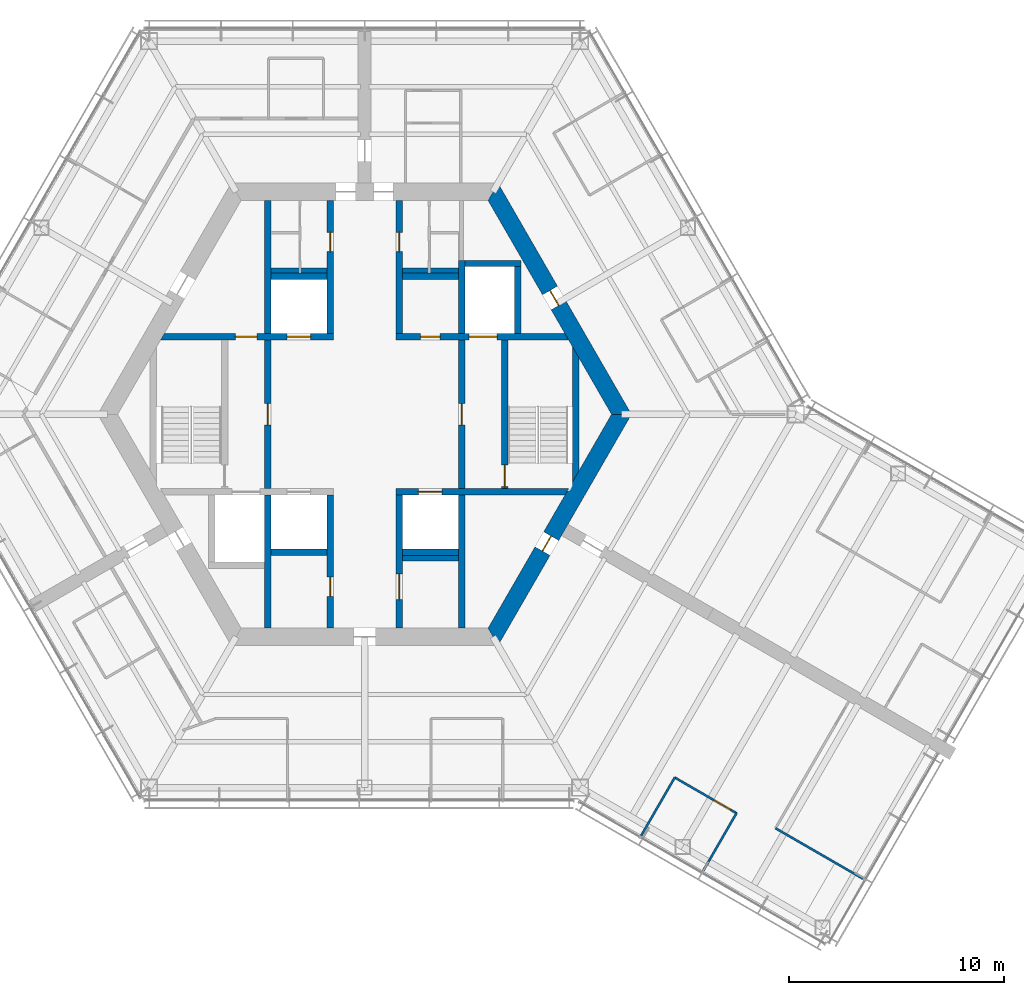
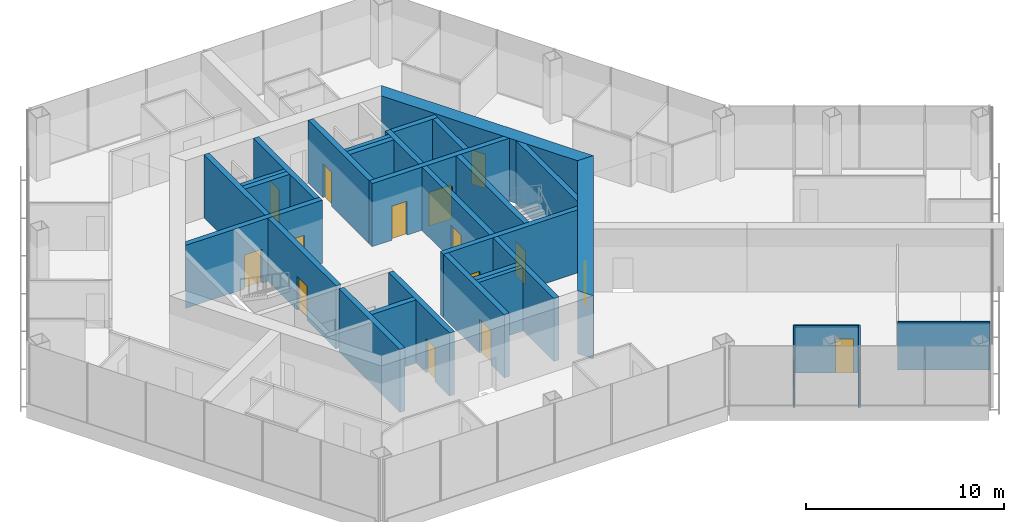
# One storey, part 11 of 16: 30 walls, 15 doors, 15 openings.
"""IFC4 building model written with IfcOpenShell, lengths in metres."""

from ifc_helpers import new_model, si_unit, direction, frame, frame_2d, origin, place, context, subcontext, project, spatial, polyline, rectangle, outline, extrude, material, layer, layer_set, type_object, element, fill, save


model = new_model("IFC4")

# Units and contexts
model_context = context("Model", 3, precision=1e-05, world=origin(), true_north=direction((0.0, 1.0)))
body_context = subcontext(model_context, "Body", "Model", "MODEL_VIEW")
ifc_project = project(units=[si_unit("LENGTHUNIT", "METRE"), si_unit("AREAUNIT", "SQUARE_METRE"), si_unit("VOLUMEUNIT", "CUBIC_METRE"), si_unit("PLANEANGLEUNIT", "RADIAN"), si_unit("MASSUNIT", "GRAM", prefix="KILO")], contexts=[model_context])

# Site, building, storey
site_placement = place(None, origin())
site = spatial("IfcSite", under=ifc_project, at=site_placement, CompositionType="ELEMENT")
building_placement = place(site_placement, origin())
building = spatial("IfcBuilding", under=site, at=building_placement, Name="Kasaneha Research Tower", CompositionType="ELEMENT")
storey_placement = place(building_placement, frame((0.0, 0.0, 247.89990234375)))
storey = spatial("IfcBuildingStorey", under=building, at=storey_placement, Name="L62", CompositionType="ELEMENT", Elevation=247.89990234375)

# Wall, openings, doors
ifc_material_1 = material(Name="Concrete Fc60", Category="concrete")
ifc_layer_1 = layer(ifc_material_1, 0.300048828125)
ifc_layer_set_1 = layer_set([ifc_layer_1], Name="Core internal wall 300 Fc60")
wall_type_1 = type_object("IfcWallType", Name="Core internal wall 300 Fc60", PredefinedType="SHEAR", material=ifc_layer_set_1)
wall_1_placement = place(storey_placement, frame((-9.3818359375, 3.60009765625, 0.0), z_axis=(0.0, 0.0, 1.0), x_axis=(1.0, 0.0, 0.0)))
wall_1 = element("IfcWall", 1, at=wall_1_placement, inside=storey, type_object=wall_type_1, Name="Core wall W1W L62", PredefinedType="SHEAR", context=body_context, shape_type="SweptSolid", body=[
    extrude(outline(polyline([(-0.086669921875, -0.14990234375), (3.3818359375, -0.14990234375), (4.3818359375, -0.14990234375), (5.781982421875, -0.14990234375), (6.882080078125, -0.14990234375), (7.931884765625, -0.14990234375), (7.931884765625, 0.14990234375), (6.882080078125, 0.14990234375), (5.781982421875, 0.14990234375), (4.3818359375, 0.14990234375), (3.3818359375, 0.14990234375), (0.086669921875, 0.14990234375), (-0.086669921875, -0.14990234375)])), origin(), (0.0, 0.0, 1.0), 3.900146484375),
])
opening_1_placement = place(wall_1_placement, frame((3.3818359375, 0.0, 0.0)))
opening_1 = element("IfcOpeningElement", 2, at=opening_1_placement, cuts=wall_1, Name="Opening L62-D12", PredefinedType="OPENING", context=body_context, shape_type="SweptSolid", body=[
    extrude(rectangle(XDim=1.0, YDim=2.10009765625, at=frame_2d((0.5, 1.050048828125))), frame((0.0, 0.16015625, 0.0), z_axis=(0.0, -1.0, 0.0), x_axis=(1.0, 0.0, 0.0)), (0.0, 0.0, 1.0), 0.320068359375),
])
opening_2_placement = place(wall_1_placement, frame((5.781982421875, 0.0, 0.0)))
opening_2 = element("IfcOpeningElement", 3, at=opening_2_placement, cuts=wall_1, Name="Opening LD-LH2-L62", PredefinedType="OPENING", context=body_context, shape_type="SweptSolid", body=[
    extrude(rectangle(XDim=1.10009765625, YDim=2.10009765625, at=frame_2d((0.550048828125, 1.050048828125))), frame((0.0, 0.16015625, 0.0), z_axis=(0.0, -1.0, 0.0), x_axis=(1.0, 0.0, 0.0)), (0.0, 0.0, 1.0), 0.320068359375),
])
ifc_material_2 = material(Name="Steel", Category="steel")
door_type_1 = type_object("IfcDoorType", Name="Lift landing door 1100x2100", OperationType="DOUBLE_DOOR_SLIDING", PredefinedType="DOOR", material=ifc_material_2)
door_1_placement = place(opening_2_placement, origin())
door_1 = element("IfcDoor", 4, at=door_1_placement, inside=storey, type_object=door_type_1, Name="Landing door LH2 LD-LH2-L62", OperationType="DOUBLE_DOOR_SLIDING", OverallHeight=2.10009765625, OverallWidth=1.10009765625, PredefinedType="DOOR", context=body_context, shape_type="SweptSolid", body=[
    extrude(rectangle(XDim=1.10009765625, YDim=2.10009765625, at=frame_2d((0.550048828125, 1.050048828125))), frame((0.0, 0.02490234375, 0.0), z_axis=(0.0, -1.0, 0.0), x_axis=(1.0, 0.0, 0.0)), (0.0, 0.0, 1.0), 0.050048828125),
])
fill(opening_2, door_1)
ifc_material_3 = material(Name="Steel", Category="steel")
door_type_2 = type_object("IfcDoorType", Name="Specified fire door FD60 1000x2100", OperationType="NOTDEFINED", PredefinedType="DOOR", material=ifc_material_3)
door_2_placement = place(opening_1_placement, origin())
door_2 = element("IfcDoor", 5, at=door_2_placement, inside=storey, type_object=door_type_2, Name="Vestibule to lobby door L62-D12", OperationType="SINGLE_SWING_LEFT", OverallHeight=2.10009765625, OverallWidth=1.0, PredefinedType="DOOR", context=body_context, shape_type="SweptSolid", body=[
    extrude(rectangle(XDim=1.0, YDim=2.10009765625, at=frame_2d((0.5, 1.050048828125))), frame((0.0, 0.02490234375, 0.0), z_axis=(0.0, -1.0, 0.0), x_axis=(1.0, 0.0, 0.0)), (0.0, 0.0, 1.0), 0.050048828125),
])
fill(opening_1, door_2)

wall_2_placement = place(storey_placement, frame((1.449951171875, 3.60009765625, 0.0), z_axis=(0.0, 0.0, 1.0), x_axis=(1.0, 0.0, 0.0)))
wall_2 = element("IfcWall", 6, at=wall_2_placement, inside=storey, type_object=wall_type_1, Name="Core wall W1E L62", PredefinedType="SHEAR", context=body_context, shape_type="SweptSolid", body=[
    extrude(outline(polyline([(0.0, -0.14990234375), (1.14990234375, -0.14990234375), (2.0498046875, -0.14990234375), (3.39990234375, -0.14990234375), (4.699951171875, -0.14990234375), (8.0185546875, -0.14990234375), (7.84521484375, 0.14990234375), (4.699951171875, 0.14990234375), (3.39990234375, 0.14990234375), (2.0498046875, 0.14990234375), (1.14990234375, 0.14990234375), (0.0, 0.14990234375), (0.0, -0.14990234375)])), origin(), (0.0, 0.0, 1.0), 3.900146484375),
])
opening_3_placement = place(wall_2_placement, frame((1.14990234375, 0.0, 0.0)))
opening_3 = element("IfcOpeningElement", 7, at=opening_3_placement, cuts=wall_2, Name="Opening L62-D17", PredefinedType="OPENING", context=body_context, shape_type="SweptSolid", body=[
    extrude(rectangle(XDim=0.89990234375, YDim=2.10009765625, at=frame_2d((0.449951171875, 1.050048828125))), frame((0.0, 0.16015625, 0.0), z_axis=(0.0, -1.0, 0.0), x_axis=(1.0, 0.0, 0.0)), (0.0, 0.0, 1.0), 0.320068359375),
])
opening_4_placement = place(wall_2_placement, frame((3.39990234375, 0.0, 0.0)))
opening_4 = element("IfcOpeningElement", 8, at=opening_4_placement, cuts=wall_2, Name="Opening LD-FL1-L62", PredefinedType="OPENING", context=body_context, shape_type="SweptSolid", body=[
    extrude(rectangle(XDim=1.300048828125, YDim=2.10009765625, at=frame_2d((0.64990234375, 1.050048828125))), frame((0.0, 0.16015625, 0.0), z_axis=(0.0, -1.0, 0.0), x_axis=(1.0, 0.0, 0.0)), (0.0, 0.0, 1.0), 0.320068359375),
])
ifc_material_4 = material(Name="Steel", Category="steel")
door_type_3 = type_object("IfcDoorType", Name="Lift landing door 1300x2100", OperationType="DOUBLE_DOOR_SLIDING", PredefinedType="DOOR", material=ifc_material_4)
door_3_placement = place(opening_4_placement, origin())
door_3 = element("IfcDoor", 9, at=door_3_placement, inside=storey, type_object=door_type_3, Name="Landing door FL1 LD-FL1-L62", OperationType="DOUBLE_DOOR_SLIDING", OverallHeight=2.10009765625, OverallWidth=1.300048828125, PredefinedType="DOOR", context=body_context, shape_type="SweptSolid", body=[
    extrude(rectangle(XDim=1.300048828125, YDim=2.10009765625, at=frame_2d((0.64990234375, 1.050048828125))), frame((0.0, 0.02490234375, 0.0), z_axis=(0.0, -1.0, 0.0), x_axis=(1.0, 0.0, 0.0)), (0.0, 0.0, 1.0), 0.050048828125),
])
fill(opening_4, door_3)
ifc_material_5 = material(Name="Steel", Category="steel")
door_type_4 = type_object("IfcDoorType", Name="Shaft room door FD60 900x2100", OperationType="NOTDEFINED", PredefinedType="DOOR", material=ifc_material_5)
door_4_placement = place(opening_3_placement, origin())
door_4 = element("IfcDoor", 10, at=door_4_placement, inside=storey, type_object=door_type_4, Name="Archive store door L62-D17", OperationType="SINGLE_SWING_LEFT", OverallHeight=2.10009765625, OverallWidth=0.89990234375, PredefinedType="DOOR", context=body_context, shape_type="SweptSolid", body=[
    extrude(rectangle(XDim=0.89990234375, YDim=2.10009765625, at=frame_2d((0.449951171875, 1.050048828125))), frame((0.0, 0.02490234375, 0.0), z_axis=(0.0, -1.0, 0.0), x_axis=(1.0, 0.0, 0.0)), (0.0, 0.0, 1.0), 0.050048828125),
])
fill(opening_3, door_4)

# Wall, opening, door
wall_3_placement = place(storey_placement, frame((1.449951171875, -3.60009765625, 0.0), z_axis=(0.0, 0.0, 1.0), x_axis=(1.0, 0.0, 0.0)))
wall_3 = element("IfcWall", 11, at=wall_3_placement, inside=storey, type_object=wall_type_1, Name="Core wall W2E L62", PredefinedType="SHEAR", context=body_context, shape_type="SweptSolid", body=[
    extrude(outline(polyline([(0.0, -0.14990234375), (1.050048828125, -0.14990234375), (2.150146484375, -0.14990234375), (7.84521484375, -0.14990234375), (8.0185546875, 0.14990234375), (2.150146484375, 0.14990234375), (1.050048828125, 0.14990234375), (0.0, 0.14990234375), (0.0, -0.14990234375)])), origin(), (0.0, 0.0, 1.0), 3.900146484375),
])
opening_5_placement = place(wall_3_placement, frame((1.050048828125, 0.0, 0.0)))
opening_5 = element("IfcOpeningElement", 12, at=opening_5_placement, cuts=wall_3, Name="Opening LD-LH3-L62", PredefinedType="OPENING", context=body_context, shape_type="SweptSolid", body=[
    extrude(rectangle(XDim=1.10009765625, YDim=2.10009765625, at=frame_2d((0.550048828125, 1.050048828125))), frame((0.0, 0.16015625, 0.0), z_axis=(0.0, -1.0, 0.0), x_axis=(1.0, 0.0, 0.0)), (0.0, 0.0, 1.0), 0.320068359375),
])
door_5_placement = place(opening_5_placement, origin())
door_5 = element("IfcDoor", 13, at=door_5_placement, inside=storey, type_object=door_type_1, Name="Landing door LH3 LD-LH3-L62", OperationType="DOUBLE_DOOR_SLIDING", OverallHeight=2.10009765625, OverallWidth=1.10009765625, PredefinedType="DOOR", context=body_context, shape_type="SweptSolid", body=[
    extrude(rectangle(XDim=1.10009765625, YDim=2.10009765625, at=frame_2d((0.550048828125, 1.050048828125))), frame((0.0, 0.02490234375, 0.0), z_axis=(0.0, -1.0, 0.0), x_axis=(1.0, 0.0, 0.0)), (0.0, 0.0, 1.0), 0.050048828125),
])
fill(opening_5, door_5)

wall_4_placement = place(storey_placement, frame((-1.60009765625, 3.75, 0.0), z_axis=(0.0, 0.0, 1.0), x_axis=(0.0, 1.0, 0.0)))
wall_4 = element("IfcWall", 14, at=wall_4_placement, inside=storey, type_object=wall_type_1, Name="Core wall CNW L62", PredefinedType="SHEAR", context=body_context, shape_type="SweptSolid", body=[
    extrude(rectangle(XDim=6.175048828125, YDim=0.300048828125, at=frame_2d((3.08740234375, 0.0))), origin(), (0.0, 0.0, 1.0), 3.900146484375),
])
opening_6_placement = place(wall_4_placement, frame((3.800048828125, 0.0, 0.0)))
opening_6 = element("IfcOpeningElement", 15, at=opening_6_placement, cuts=wall_4, Name="Opening L62-D13", PredefinedType="OPENING", context=body_context, shape_type="SweptSolid", body=[
    extrude(rectangle(XDim=0.89990234375, YDim=2.10009765625, at=frame_2d((0.449951171875, 1.050048828125))), frame((0.0, 0.16015625, 0.0), z_axis=(0.0, -1.0, 0.0), x_axis=(1.0, 0.0, 0.0)), (0.0, 0.0, 1.0), 0.320068359375),
])
ifc_material_6 = material(Name="Steel", Category="steel")
door_type_5 = type_object("IfcDoorType", Name="Toilet door FD20 900x2100", OperationType="NOTDEFINED", PredefinedType="DOOR", material=ifc_material_6)
door_6_placement = place(opening_6_placement, origin())
door_6 = element("IfcDoor", 16, at=door_6_placement, inside=storey, type_object=door_type_5, Name="Men's WC door L62-D13", OperationType="SINGLE_SWING_LEFT", OverallHeight=2.10009765625, OverallWidth=0.89990234375, PredefinedType="DOOR", context=body_context, shape_type="SweptSolid", body=[
    extrude(rectangle(XDim=0.89990234375, YDim=2.10009765625, at=frame_2d((0.449951171875, 1.050048828125))), frame((0.0, 0.02490234375, 0.0), z_axis=(0.0, -1.0, 0.0), x_axis=(1.0, 0.0, 0.0)), (0.0, 0.0, 1.0), 0.050048828125),
])
fill(opening_6, door_6)

wall_5_placement = place(storey_placement, frame((1.60009765625, 3.75, 0.0), z_axis=(0.0, 0.0, 1.0), x_axis=(0.0, 1.0, 0.0)))
wall_5 = element("IfcWall", 17, at=wall_5_placement, inside=storey, type_object=wall_type_1, Name="Core wall CNE L62", PredefinedType="SHEAR", context=body_context, shape_type="SweptSolid", body=[
    extrude(rectangle(XDim=6.175048828125, YDim=0.300048828125, at=frame_2d((3.08740234375, 0.0))), origin(), (0.0, 0.0, 1.0), 3.900146484375),
])
opening_7_placement = place(wall_5_placement, frame((3.800048828125, 0.0, 0.0)))
opening_7 = element("IfcOpeningElement", 18, at=opening_7_placement, cuts=wall_5, Name="Opening L62-D14", PredefinedType="OPENING", context=body_context, shape_type="SweptSolid", body=[
    extrude(rectangle(XDim=0.89990234375, YDim=2.10009765625, at=frame_2d((0.449951171875, 1.050048828125))), frame((0.0, 0.16015625, 0.0), z_axis=(0.0, -1.0, 0.0), x_axis=(1.0, 0.0, 0.0)), (0.0, 0.0, 1.0), 0.320068359375),
])
door_7_placement = place(opening_7_placement, origin())
door_7 = element("IfcDoor", 19, at=door_7_placement, inside=storey, type_object=door_type_5, Name="Women's WC door L62-D14", OperationType="SINGLE_SWING_LEFT", OverallHeight=2.10009765625, OverallWidth=0.89990234375, PredefinedType="DOOR", context=body_context, shape_type="SweptSolid", body=[
    extrude(rectangle(XDim=0.89990234375, YDim=2.10009765625, at=frame_2d((0.449951171875, 1.050048828125))), frame((0.0, 0.02490234375, 0.0), z_axis=(0.0, -1.0, 0.0), x_axis=(1.0, 0.0, 0.0)), (0.0, 0.0, 1.0), 0.050048828125),
])
fill(opening_7, door_7)

wall_6_placement = place(storey_placement, frame((-1.60009765625, -3.75, 0.0), z_axis=(0.0, 0.0, 1.0), x_axis=(0.0, -1.0, 0.0)))
wall_6 = element("IfcWall", 20, at=wall_6_placement, inside=storey, type_object=wall_type_1, Name="Core wall CSW L62", PredefinedType="SHEAR", context=body_context, shape_type="SweptSolid", body=[
    extrude(rectangle(XDim=6.175048828125, YDim=0.300048828125, at=frame_2d((3.08740234375, 0.0))), origin(), (0.0, 0.0, 1.0), 3.900146484375),
])
opening_8_placement = place(wall_6_placement, frame((3.800048828125, 0.0, 0.0)))
opening_8 = element("IfcOpeningElement", 21, at=opening_8_placement, cuts=wall_6, Name="Opening L62-D16", PredefinedType="OPENING", context=body_context, shape_type="SweptSolid", body=[
    extrude(rectangle(XDim=0.89990234375, YDim=2.10009765625, at=frame_2d((0.449951171875, 1.050048828125))), frame((0.0, 0.16015625, 0.0), z_axis=(0.0, -1.0, 0.0), x_axis=(1.0, 0.0, 0.0)), (0.0, 0.0, 1.0), 0.320068359375),
])
ifc_material_7 = material(Name="Steel", Category="steel")
door_type_6 = type_object("IfcDoorType", Name="Riser access door FD60 900x2100", OperationType="NOTDEFINED", PredefinedType="DOOR", material=ifc_material_7)
door_8_placement = place(opening_8_placement, origin())
door_8 = element("IfcDoor", 22, at=door_8_placement, inside=storey, type_object=door_type_6, Name="Electrical riser door L62-D16", OperationType="SINGLE_SWING_LEFT", OverallHeight=2.10009765625, OverallWidth=0.89990234375, PredefinedType="DOOR", context=body_context, shape_type="SweptSolid", body=[
    extrude(rectangle(XDim=0.89990234375, YDim=2.10009765625, at=frame_2d((0.449951171875, 1.050048828125))), frame((0.0, 0.02490234375, 0.0), z_axis=(0.0, -1.0, 0.0), x_axis=(1.0, 0.0, 0.0)), (0.0, 0.0, 1.0), 0.050048828125),
])
fill(opening_8, door_8)

wall_7_placement = place(storey_placement, frame((1.60009765625, -3.75, 0.0), z_axis=(0.0, 0.0, 1.0), x_axis=(0.0, -1.0, 0.0)))
wall_7 = element("IfcWall", 23, at=wall_7_placement, inside=storey, type_object=wall_type_1, Name="Core wall CSE L62", PredefinedType="SHEAR", context=body_context, shape_type="SweptSolid", body=[
    extrude(rectangle(XDim=6.175048828125, YDim=0.300048828125, at=frame_2d((3.08740234375, 0.0))), origin(), (0.0, 0.0, 1.0), 3.900146484375),
])
opening_9_placement = place(wall_7_placement, frame((3.64990234375, 0.0, 0.0)))
opening_9 = element("IfcOpeningElement", 24, at=opening_9_placement, cuts=wall_7, Name="Opening L62-D15", PredefinedType="OPENING", context=body_context, shape_type="SweptSolid", body=[
    extrude(rectangle(XDim=1.199951171875, YDim=2.10009765625, at=frame_2d((0.60009765625, 1.050048828125))), frame((0.0, 0.16015625, 0.0), z_axis=(0.0, -1.0, 0.0), x_axis=(1.0, 0.0, 0.0)), (0.0, 0.0, 1.0), 0.320068359375),
])
ifc_material_8 = material(Name="Steel", Category="steel")
door_type_7 = type_object("IfcDoorType", Name="Accessible toilet sliding door FD20 1200x2100", OperationType="SLIDING_TO_LEFT", PredefinedType="DOOR", material=ifc_material_8)
door_9_placement = place(opening_9_placement, origin())
door_9 = element("IfcDoor", 25, at=door_9_placement, inside=storey, type_object=door_type_7, Name="Accessible WC door L62-D15", OperationType="SLIDING_TO_LEFT", OverallHeight=2.10009765625, OverallWidth=1.199951171875, PredefinedType="DOOR", context=body_context, shape_type="SweptSolid", body=[
    extrude(rectangle(XDim=1.199951171875, YDim=2.10009765625, at=frame_2d((0.60009765625, 1.050048828125))), frame((0.0, 0.02490234375, 0.0), z_axis=(0.0, -1.0, 0.0), x_axis=(1.0, 0.0, 0.0)), (0.0, 0.0, 1.0), 0.050048828125),
])
fill(opening_9, door_9)

wall_8_placement = place(storey_placement, frame((-4.5, -3.449951171875, 0.0), z_axis=(0.0, 0.0, 1.0), x_axis=(0.0, 1.0, 0.0)))
wall_8 = element("IfcWall", 26, at=wall_8_placement, inside=storey, type_object=wall_type_1, Name="Core wall LBW L62", PredefinedType="SHEAR", context=body_context, shape_type="SweptSolid", body=[
    extrude(rectangle(XDim=6.89990234375, YDim=0.300048828125, at=frame_2d((3.449951171875, 0.0))), origin(), (0.0, 0.0, 1.0), 3.900146484375),
])
opening_10_placement = place(wall_8_placement, frame((2.949951171875, 0.0, 0.0)))
opening_10 = element("IfcOpeningElement", 27, at=opening_10_placement, cuts=wall_8, Name="Opening L62-D09", PredefinedType="OPENING", context=body_context, shape_type="SweptSolid", body=[
    extrude(rectangle(XDim=1.0, YDim=2.10009765625, at=frame_2d((0.5, 1.050048828125))), frame((0.0, 0.16015625, 0.0), z_axis=(0.0, -1.0, 0.0), x_axis=(1.0, 0.0, 0.0)), (0.0, 0.0, 1.0), 0.320068359375),
])
door_10_placement = place(opening_10_placement, origin())
door_10 = element("IfcDoor", 28, at=door_10_placement, inside=storey, type_object=door_type_2, Name="Lift lobby door west L62-D09", OperationType="SINGLE_SWING_LEFT", OverallHeight=2.10009765625, OverallWidth=1.0, PredefinedType="DOOR", context=body_context, shape_type="SweptSolid", body=[
    extrude(rectangle(XDim=1.0, YDim=2.10009765625, at=frame_2d((0.5, 1.050048828125))), frame((0.0, 0.02490234375, 0.0), z_axis=(0.0, -1.0, 0.0), x_axis=(1.0, 0.0, 0.0)), (0.0, 0.0, 1.0), 0.050048828125),
])
fill(opening_10, door_10)

wall_9_placement = place(storey_placement, frame((4.5, -3.449951171875, 0.0), z_axis=(0.0, 0.0, 1.0), x_axis=(0.0, 1.0, 0.0)))
wall_9 = element("IfcWall", 29, at=wall_9_placement, inside=storey, type_object=wall_type_1, Name="Core wall LBE L62", PredefinedType="SHEAR", context=body_context, shape_type="SweptSolid", body=[
    extrude(rectangle(XDim=6.89990234375, YDim=0.300048828125, at=frame_2d((3.449951171875, 0.0))), origin(), (0.0, 0.0, 1.0), 3.900146484375),
])
opening_11_placement = place(wall_9_placement, frame((2.949951171875, 0.0, 0.0)))
opening_11 = element("IfcOpeningElement", 30, at=opening_11_placement, cuts=wall_9, Name="Opening L62-D08", PredefinedType="OPENING", context=body_context, shape_type="SweptSolid", body=[
    extrude(rectangle(XDim=1.0, YDim=2.10009765625, at=frame_2d((0.5, 1.050048828125))), frame((0.0, 0.16015625, 0.0), z_axis=(0.0, -1.0, 0.0), x_axis=(1.0, 0.0, 0.0)), (0.0, 0.0, 1.0), 0.320068359375),
])
door_11_placement = place(opening_11_placement, origin())
door_11 = element("IfcDoor", 31, at=door_11_placement, inside=storey, type_object=door_type_2, Name="Lift lobby door east L62-D08", OperationType="SINGLE_SWING_LEFT", OverallHeight=2.10009765625, OverallWidth=1.0, PredefinedType="DOOR", context=body_context, shape_type="SweptSolid", body=[
    extrude(rectangle(XDim=1.0, YDim=2.10009765625, at=frame_2d((0.5, 1.050048828125))), frame((0.0, 0.02490234375, 0.0), z_axis=(0.0, -1.0, 0.0), x_axis=(1.0, 0.0, 0.0)), (0.0, 0.0, 1.0), 0.050048828125),
])
fill(opening_11, door_11)

wall_10_placement = place(storey_placement, frame((6.5, -3.449951171875, 0.0), z_axis=(0.0, 0.0, 1.0), x_axis=(0.0, 1.0, 0.0)))
wall_10 = element("IfcWall", 32, at=wall_10_placement, inside=storey, type_object=wall_type_1, Name="Core wall ANE L62", PredefinedType="SHEAR", context=body_context, shape_type="SweptSolid", body=[
    extrude(rectangle(XDim=6.89990234375, YDim=0.300048828125, at=frame_2d((3.449951171875, 0.0))), origin(), (0.0, 0.0, 1.0), 3.900146484375),
])
opening_12_placement = place(wall_10_placement, frame((0.10009765625, 0.0, 0.0)))
opening_12 = element("IfcOpeningElement", 33, at=opening_12_placement, cuts=wall_10, Name="Opening L62-D10", PredefinedType="OPENING", context=body_context, shape_type="SweptSolid", body=[
    extrude(rectangle(XDim=1.0, YDim=2.10009765625, at=frame_2d((0.5, 1.050048828125))), frame((0.0, 0.16015625, 0.0), z_axis=(0.0, -1.0, 0.0), x_axis=(1.0, 0.0, 0.0)), (0.0, 0.0, 1.0), 0.320068359375),
])
door_12_placement = place(opening_12_placement, origin())
door_12 = element("IfcDoor", 34, at=door_12_placement, inside=storey, type_object=door_type_2, Name="Stair 1 door L62-D10", OperationType="SINGLE_SWING_LEFT", OverallHeight=2.10009765625, OverallWidth=1.0, PredefinedType="DOOR", context=body_context, shape_type="SweptSolid", body=[
    extrude(rectangle(XDim=1.0, YDim=2.10009765625, at=frame_2d((0.5, 1.050048828125))), frame((0.0, 0.02490234375, 0.0), z_axis=(0.0, -1.0, 0.0), x_axis=(1.0, 0.0, 0.0)), (0.0, 0.0, 1.0), 0.050048828125),
])
fill(opening_12, door_12)

# Walls
wall_11_placement = place(storey_placement, frame((-4.5, 3.75, 0.0), z_axis=(0.0, 0.0, 1.0), x_axis=(0.0, 1.0, 0.0)))
element("IfcWall", 35, at=wall_11_placement, inside=storey, type_object=wall_type_1, Name="Core wall VNW L62", PredefinedType="SHEAR", context=body_context, shape_type="SweptSolid", body=[
    extrude(rectangle(XDim=6.175048828125, YDim=0.300048828125, at=frame_2d((3.08740234375, 0.0))), origin(), (0.0, 0.0, 1.0), 3.900146484375),
])
wall_12_placement = place(storey_placement, frame((4.5, 3.75, 0.0), z_axis=(0.0, 0.0, 1.0), x_axis=(0.0, 1.0, 0.0)))
element("IfcWall", 36, at=wall_12_placement, inside=storey, type_object=wall_type_1, Name="Core wall FNE L62", PredefinedType="SHEAR", context=body_context, shape_type="SweptSolid", body=[
    extrude(rectangle(XDim=3.39990234375, YDim=0.300048828125, at=frame_2d((1.699951171875, 0.0))), origin(), (0.0, 0.0, 1.0), 3.900146484375),
])
for number, where, z_axis, x_axis, name in (
    (37, (-4.5, -3.75, 0.0), (0.0, 0.0, 1.0), (0.0, -1.0, 0.0), "Core wall SSW L62"),
    (38, (4.5, -3.75, 0.0), (0.0, 0.0, 1.0), (0.0, -1.0, 0.0), "Core wall SSE L62"),
):
    element("IfcWall", number, at=place(storey_placement, frame(where, z_axis=z_axis, x_axis=x_axis)), inside=storey, type_object=wall_type_1, Name=name, PredefinedType="SHEAR", context=body_context, shape_type="SweptSolid", body=[
        extrude(rectangle(XDim=6.175048828125, YDim=0.300048828125, at=frame_2d((3.08740234375, 0.0))), origin(), (0.0, 0.0, 1.0), 3.900146484375),
    ])
for number, where, z_axis, x_axis, name in (
    (39, (-4.35009765625, 6.39990234375, 0.0), (0.0, 0.0, 1.0), (1.0, 0.0, 0.0), "Core wall N1N L62"),
    (40, (1.75, 6.39990234375, 0.0), (0.0, 0.0, 1.0), (1.0, 0.0, 0.0), "Core wall N3N L62"),
    (41, (-4.35009765625, -6.39990234375, 0.0), (0.0, 0.0, 1.0), (1.0, 0.0, 0.0), "Core wall S1S L62"),
    (42, (1.75, -6.39990234375, 0.0), (0.0, 0.0, 1.0), (1.0, 0.0, 0.0), "Core wall S3S L62"),
    (43, (4.64990234375, 7.0, 0.0), (0.0, 0.0, 1.0), (1.0, 0.0, 0.0), "Core wall F1N L62"),
):
    element("IfcWall", number, at=place(storey_placement, frame(where, z_axis=z_axis, x_axis=x_axis)), inside=storey, type_object=wall_type_1, Name=name, PredefinedType="SHEAR", context=body_context, shape_type="SweptSolid", body=[
        extrude(rectangle(XDim=2.60009765625, YDim=0.300048828125, at=frame_2d((1.300048828125, 0.0))), origin(), (0.0, 0.0, 1.0), 3.900146484375),
    ])
wall_13_placement = place(storey_placement, frame((7.10009765625, 3.75, 0.0), z_axis=(0.0, 0.0, 1.0), x_axis=(0.0, 1.0, 0.0)))
element("IfcWall", 44, at=wall_13_placement, inside=storey, type_object=wall_type_1, Name="Core wall F1E L62", PredefinedType="SHEAR", context=body_context, shape_type="SweptSolid", body=[
    extrude(rectangle(XDim=3.10009765625, YDim=0.300048828125, at=frame_2d((1.550048828125, 0.0))), origin(), (0.0, 0.0, 1.0), 3.900146484375),
])
wall_14_placement = place(storey_placement, frame((9.807861328125, -2.8623046875, 0.0), z_axis=(0.0, 0.0, 1.0), x_axis=(0.0, 1.0, 0.0)))
element("IfcWall", 45, at=wall_14_placement, inside=storey, type_object=wall_type_1, Name="Core wall STE L62", PredefinedType="SHEAR", context=body_context, shape_type="SweptSolid", body=[
    extrude(outline(polyline([(0.259765625, -0.14990234375), (5.46484375, -0.14990234375), (5.984375, 0.14990234375), (-0.259765625, 0.14990234375), (0.259765625, -0.14990234375)])), origin(), (0.0, 0.0, 1.0), 3.900146484375),
])

# Wall, opening, door
ifc_material_9 = material(Name="Concrete Fc60", Category="concrete")
ifc_layer_2 = layer(ifc_material_9, 0.800048828125)
ifc_layer_set_2 = layer_set([ifc_layer_2], Name="Core wall 800 Fc60")
wall_type_2 = type_object("IfcWallType", Name="Core wall 800 Fc60", PredefinedType="SHEAR", material=ifc_layer_set_2)
wall_15_placement = place(storey_placement, frame((11.92236328125, 0.0, 0.0), z_axis=(0.0, 0.0, 1.0), x_axis=(-0.500004296715, 0.866022923061, 0.0)))
wall_15 = element("IfcWall", 46, at=wall_15_placement, inside=storey, type_object=wall_type_2, Name="Core wall 030 L62", PredefinedType="SHEAR", context=body_context, shape_type="SweptSolid", body=[
    extrude(outline(polyline([(-0.23095703125, -0.39990234375), (5.83544921875, -0.39990234375), (6.635498046875, -0.39990234375), (12.1533203125, -0.39990234375), (11.69140625, 0.39990234375), (6.635498046875, 0.39990234375), (5.83544921875, 0.39990234375), (0.23095703125, 0.39990234375), (-0.23095703125, -0.39990234375)])), origin(), (0.0, 0.0, 1.0), 3.900146484375),
])
opening_13_placement = place(wall_15_placement, frame((5.83544921875, 0.0, 0.0)))
opening_13 = element("IfcOpeningElement", 47, at=opening_13_placement, cuts=wall_15, Name="Opening L62-D04", PredefinedType="OPENING", context=body_context, shape_type="SweptSolid", body=[
    extrude(rectangle(XDim=0.800048828125, YDim=2.10009765625, at=frame_2d((0.39990234375, 1.050048828125))), frame((0.0, 0.41015625, 0.0), z_axis=(0.0, -1.0, 0.0), x_axis=(1.0, 0.0, 0.0)), (0.0, 0.0, 1.0), 0.820068359375),
])
ifc_material_10 = material(Name="Steel", Category="steel")
door_type_8 = type_object("IfcDoorType", Name="Riser access door FD60 800x2100", OperationType="NOTDEFINED", PredefinedType="DOOR", material=ifc_material_10)
door_13_placement = place(opening_13_placement, origin())
door_13 = element("IfcDoor", 48, at=door_13_placement, inside=storey, type_object=door_type_8, Name="Pipe riser door L62-D04", OperationType="SINGLE_SWING_RIGHT", OverallHeight=2.10009765625, OverallWidth=0.800048828125, PredefinedType="DOOR", context=body_context, shape_type="SweptSolid", body=[
    extrude(rectangle(XDim=0.800048828125, YDim=2.10009765625, at=frame_2d((0.39990234375, 1.050048828125))), frame((0.0, 0.02490234375, 0.0), z_axis=(0.0, -1.0, 0.0), x_axis=(1.0, 0.0, 0.0)), (0.0, 0.0, 1.0), 0.050048828125),
])
fill(opening_13, door_13)

wall_16_placement = place(storey_placement, frame((5.961181640625, -10.324951171875, 0.0), z_axis=(0.0, 0.0, 1.0), x_axis=(0.500004296715, 0.866022923061, 0.0)))
wall_16 = element("IfcWall", 49, at=wall_16_placement, inside=storey, type_object=wall_type_2, Name="Core wall 330 L62", PredefinedType="SHEAR", context=body_context, shape_type="SweptSolid", body=[
    extrude(outline(polyline([(-0.23095703125, -0.39990234375), (4.593994140625, -0.39990234375), (5.39404296875, -0.39990234375), (12.1533203125, -0.39990234375), (11.69140625, 0.39990234375), (5.39404296875, 0.39990234375), (4.593994140625, 0.39990234375), (0.23095703125, 0.39990234375), (-0.23095703125, -0.39990234375)])), origin(), (0.0, 0.0, 1.0), 3.900146484375),
])
opening_14_placement = place(wall_16_placement, frame((4.593994140625, 0.0, 0.0)))
opening_14 = element("IfcOpeningElement", 50, at=opening_14_placement, cuts=wall_16, Name="Opening L62-D05", PredefinedType="OPENING", context=body_context, shape_type="SweptSolid", body=[
    extrude(rectangle(XDim=0.800048828125, YDim=2.10009765625, at=frame_2d((0.39990234375, 1.050048828125))), frame((0.0, 0.41015625, 0.0), z_axis=(0.0, -1.0, 0.0), x_axis=(1.0, 0.0, 0.0)), (0.0, 0.0, 1.0), 0.820068359375),
])
door_14_placement = place(opening_14_placement, origin())
door_14 = element("IfcDoor", 51, at=door_14_placement, inside=storey, type_object=door_type_8, Name="Pipe riser door L62-D05", OperationType="SINGLE_SWING_LEFT", OverallHeight=2.10009765625, OverallWidth=0.800048828125, PredefinedType="DOOR", context=body_context, shape_type="SweptSolid", body=[
    extrude(rectangle(XDim=0.800048828125, YDim=2.10009765625, at=frame_2d((0.39990234375, 1.050048828125))), frame((0.0, 0.02490234375, 0.0), z_axis=(0.0, -1.0, 0.0), x_axis=(1.0, 0.0, 0.0)), (0.0, 0.0, 1.0), 0.050048828125),
])
fill(opening_14, door_14)

# Walls
ifc_material_11 = material(Name="Gypsum board on steel studs, one layer each side", Category="steel")
ifc_layer_3 = layer(ifc_material_11, 0.10009765625)
ifc_layer_set_3 = layer_set([ifc_layer_3], Name="Office partition 100")
wall_type_3 = type_object("IfcWallType", Name="Office partition 100", PredefinedType="PARTITIONING", material=ifc_layer_set_3)
wall_17_placement = place(storey_placement, frame((23.1240234375, -21.549072265625, 0.0), z_axis=(0.0, 0.0, 1.0), x_axis=(-0.86601618333, 0.500015969955, 0.0)))
element("IfcWall", 52, at=wall_17_placement, inside=storey, type_object=wall_type_3, Name="Office partition FCS08 L62", PredefinedType="PARTITIONING", context=body_context, shape_type="SweptSolid", body=[
    extrude(rectangle(XDim=4.679931640625, YDim=0.10009765625, at=frame_2d((2.33984375, 0.0))), origin(), (0.0, 0.0, 1.0), 2.9501953125),
])
wall_18_placement = place(storey_placement, frame((12.837158203125, -19.547607421875, 0.0), z_axis=(0.0, 0.0, 1.0), x_axis=(0.499946688677, 0.866056180903, 0.0)))
element("IfcWall", 53, at=wall_18_placement, inside=storey, type_object=wall_type_3, Name="Office partition FCS09 L62", PredefinedType="PARTITIONING", context=body_context, shape_type="SweptSolid", body=[
    extrude(rectangle(XDim=3.110107421875, YDim=0.10009765625, at=frame_2d((1.55517578125, 0.0))), origin(), (0.0, 0.0, 1.0), 2.9501953125),
])

# Wall, opening, door
wall_19_placement = place(storey_placement, frame((14.39208984375, -16.85400390625, 0.0), z_axis=(0.0, 0.0, 1.0), x_axis=(0.866014848099, -0.500018282537, 0.0)))
wall_19 = element("IfcWall", 54, at=wall_19_placement, inside=storey, type_object=wall_type_3, Name="Office partition FCS10 L62", PredefinedType="PARTITIONING", context=body_context, shape_type="SweptSolid", body=[
    extrude(rectangle(XDim=3.31005859375, YDim=0.10009765625, at=frame_2d((1.655029296875, 0.0))), origin(), (0.0, 0.0, 1.0), 2.9501953125),
])
opening_15_placement = place(wall_19_placement, frame((2.10986328125, 0.0, 0.0)))
opening_15 = element("IfcOpeningElement", 55, at=opening_15_placement, cuts=wall_19, Name="Opening L62-D44", PredefinedType="OPENING", context=body_context, shape_type="SweptSolid", body=[
    extrude(rectangle(XDim=0.89990234375, YDim=2.10009765625, at=frame_2d((0.449951171875, 1.050048828125))), frame((0.0, 0.06005859375, 0.0), z_axis=(0.0, -1.0, 0.0), x_axis=(1.0, 0.0, 0.0)), (0.0, 0.0, 1.0), 0.1201171875),
])
ifc_material_12 = material(Name="Timber veneer", Category="wood")
door_type_9 = type_object("IfcDoorType", Name="Office door 900x2100", OperationType="SINGLE_SWING_LEFT", PredefinedType="DOOR", material=ifc_material_12)
door_15_placement = place(opening_15_placement, origin())
door_15 = element("IfcDoor", 56, at=door_15_placement, inside=storey, type_object=door_type_9, Name="Workroom door L62-D44", OperationType="SINGLE_SWING_RIGHT", OverallHeight=2.10009765625, OverallWidth=0.89990234375, PredefinedType="DOOR", context=body_context, shape_type="SweptSolid", body=[
    extrude(rectangle(XDim=0.89990234375, YDim=2.10009765625, at=frame_2d((0.449951171875, 1.050048828125))), frame((0.0, 0.02490234375, 0.0), z_axis=(0.0, -1.0, 0.0), x_axis=(1.0, 0.0, 0.0)), (0.0, 0.0, 1.0), 0.050048828125),
])
fill(opening_15, door_15)

# Walls
wall_20_placement = place(storey_placement, frame((17.258544921875, -18.509033203125, 0.0), z_axis=(0.0, 0.0, 1.0), x_axis=(-0.499980678337, -0.866036558865, 0.0)))
element("IfcWall", 57, at=wall_20_placement, inside=storey, type_object=wall_type_3, Name="Office partition FCS11 L62", PredefinedType="PARTITIONING", context=body_context, shape_type="SweptSolid", body=[
    extrude(rectangle(XDim=3.10986328125, YDim=0.10009765625, at=frame_2d((1.554931640625, 0.0))), origin(), (0.0, 0.0, 1.0), 2.9501953125),
])
ifc_material_13 = material(Name="Concrete block lining", Category="concrete")
ifc_layer_4 = layer(ifc_material_13, 0.25)
ifc_layer_set_4 = layer_set([ifc_layer_4], Name="WC plumbing wall 250")
wall_type_4 = type_object("IfcWallType", Name="WC plumbing wall 250", PredefinedType="PLUMBINGWALL", material=ifc_layer_set_4)
for number, where, z_axis, x_axis, name in (
    (58, (-4.35009765625, 6.675048828125, 0.0), (0.0, 0.0, 1.0), (1.0, 0.0, 0.0), "WC plumbing wall M L62"),
    (59, (1.75, 6.675048828125, 0.0), (0.0, 0.0, 1.0), (1.0, 0.0, 0.0), "WC plumbing wall F L62"),
    (60, (1.75, -6.675048828125, 0.0), (0.0, 0.0, 1.0), (1.0, 0.0, 0.0), "WC plumbing wall A L62"),
):
    element("IfcWall", number, at=place(storey_placement, frame(where, z_axis=z_axis, x_axis=x_axis)), inside=storey, type_object=wall_type_4, Name=name, PredefinedType="PLUMBINGWALL", context=body_context, shape_type="SweptSolid", body=[
        extrude(rectangle(XDim=2.60009765625, YDim=0.25, at=frame_2d((1.300048828125, 0.0))), origin(), (0.0, 0.0, 1.0), 3.900146484375),
    ])

save(model, "model.ifc")
